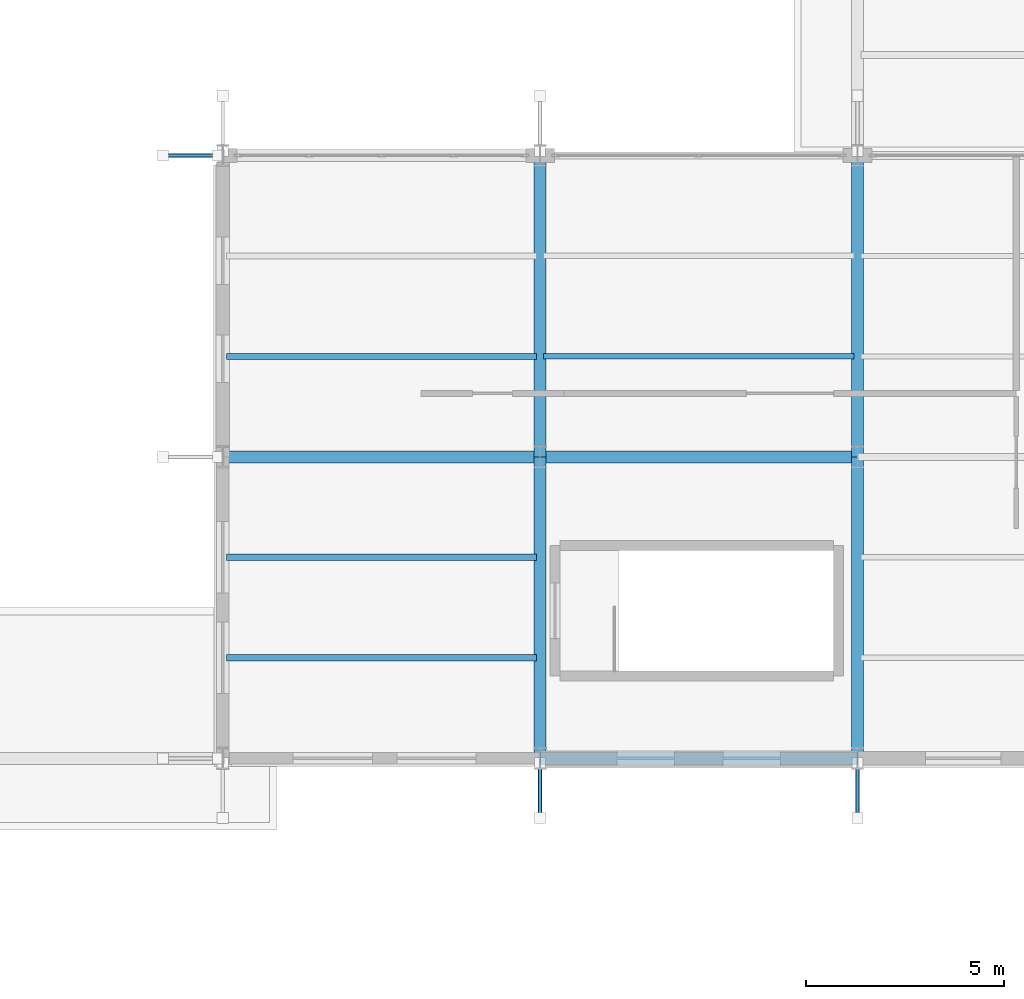
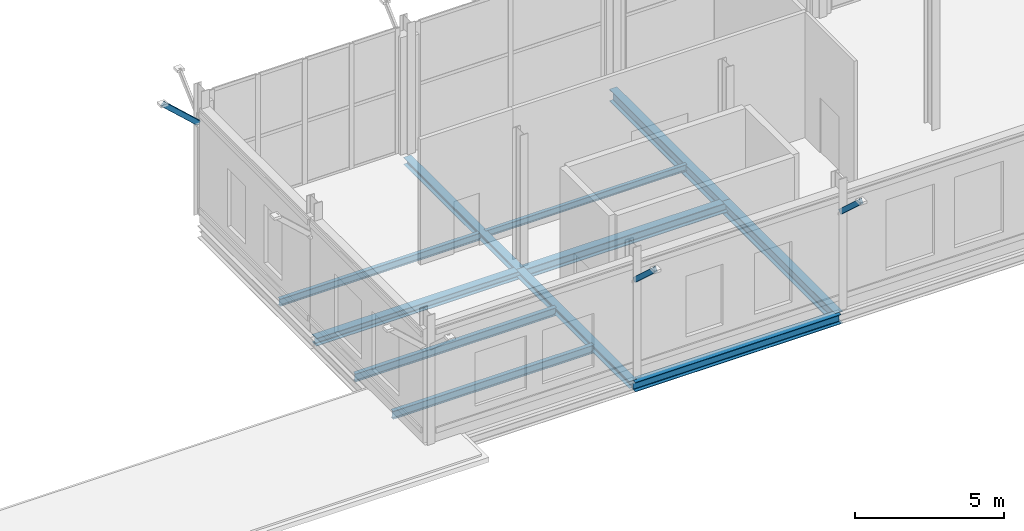
# One storey, part 27 of 147: 11 beams, 3 members.
"""IFC4 building model written with IfcOpenShell, lengths in metres."""

import ifcopenshell
import ifcopenshell.guid

model = None  # the IFC model being written
_history = None  # IfcOwnerHistory: only IFC2X3 demands one
_inside = {}  # id of a spatial element -> (the spatial element, [elements in it])
_under = {}  # id of a project, library or spatial element -> (it, [spatial elements below it])
_declared = {}  # id of a project -> (the project, [libraries it declares])
_typed = {}  # id of a type object -> (the type object, [elements of that type])
_made_of = {}  # id of a material, layer set ... -> (it, [elements and type objects made of it])


def new_model(schema):
    """Start an empty IFC model of exactly this schema.

    Asked for "IFC4X3", IfcOpenShell would pick the latest addendum, in which some entities
    have other attributes; the version numbers below select the first issue.
    IFC2X3 requires an IfcOwnerHistory on every rooted entity: one is made here for all.
    """
    global model, _history
    if schema == "IFC4X3":
        model = ifcopenshell.file(schema_version=(4, 3, 0, 0))
    else:
        model = ifcopenshell.file(schema=schema)
    _inside.clear()
    _under.clear()
    _declared.clear()
    _typed.clear()
    _made_of.clear()
    _history = None
    if model.schema == "IFC2X3":
        org = make("IfcOrganization", Name="unknown")
        user = make(
            "IfcPersonAndOrganization",
            ThePerson=make("IfcPerson", FamilyName="unknown"),
            TheOrganization=org,
        )
        app = make(
            "IfcApplication",
            ApplicationDeveloper=org,
            Version="unknown",
            ApplicationFullName="unknown",
            ApplicationIdentifier="unknown",
        )
        _history = make(
            "IfcOwnerHistory",
            OwningUser=user,
            OwningApplication=app,
            ChangeAction="ADDED",
            CreationDate=0,
        )
    return model


def make(cls, **values):
    """One entity of the class cls with the attributes given. An attribute that is None is left unset."""
    return model.create_entity(
        cls, **{name: value for name, value in values.items() if value is not None}
    )


def rooted(cls, **values):
    """An entity with a GlobalId (a new one), such as an element, a storey or a relation."""
    return make(cls, GlobalId=ifcopenshell.guid.new(), OwnerHistory=_history, **values)


def si_unit(unit_type, name, prefix=None):
    """IfcSIUnit, for example si_unit("LENGTHUNIT", "METRE", prefix="MILLI")."""
    return make("IfcSIUnit", UnitType=unit_type, Prefix=prefix, Name=name)


def assignment(units):
    """IfcUnitAssignment: the units of a project."""
    return None if units is None else make("IfcUnitAssignment", Units=units)


def point(xyz):
    """IfcCartesianPoint."""
    return None if xyz is None else make("IfcCartesianPoint", Coordinates=xyz)


def direction(xyz):
    """IfcDirection."""
    return None if xyz is None else make("IfcDirection", DirectionRatios=xyz)


def frame(location, z_axis=None, x_axis=None):
    """IfcAxis2Placement3D, a coordinate frame: its origin and axes. An axis left out is left unset."""
    return make(
        "IfcAxis2Placement3D",
        Location=point(location),
        Axis=direction(z_axis),
        RefDirection=direction(x_axis),
    )


def frame_2d(location, x_axis=None):
    """IfcAxis2Placement2D, a coordinate frame in the plane: its origin and x axis."""
    return make(
        "IfcAxis2Placement2D", Location=point(location), RefDirection=direction(x_axis)
    )


def origin():
    """The frame at (0, 0, 0) with its axes left unset."""
    return frame((0.0, 0.0, 0.0))


def origin_2d():
    """The frame at (0, 0) in the plane with its x axis left unset."""
    return frame_2d((0.0, 0.0))


def place(relative_to, where):
    """IfcLocalPlacement: puts the frame where relative to a parent placement (None: the world)."""
    return make(
        "IfcLocalPlacement", PlacementRelTo=relative_to, RelativePlacement=where
    )


def context(
    kind, dimensions, precision=None, world=None, true_north=None, identifier=None
):
    """IfcGeometricRepresentationContext, for example the 3D "Model" context."""
    return make(
        "IfcGeometricRepresentationContext",
        ContextIdentifier=identifier,
        ContextType=kind,
        CoordinateSpaceDimension=dimensions,
        Precision=precision,
        WorldCoordinateSystem=world,
        TrueNorth=true_north,
    )


def subcontext(parent, identifier, kind, view, scale=None):
    """IfcGeometricRepresentationSubContext, for example "Body" below "Model"."""
    return make(
        "IfcGeometricRepresentationSubContext",
        ContextIdentifier=identifier,
        ContextType=kind,
        ParentContext=parent,
        TargetScale=scale,
        TargetView=view,
    )


def project(units=None, contexts=None):
    """IfcProject with its units and contexts."""
    return rooted(
        "IfcProject",
        Name="project",
        RepresentationContexts=contexts,
        UnitsInContext=assignment(units),
    )


def spatial(cls, under=None, at=None, **own):
    """A site, building, storey or space (cls), placed at a placement, below another one or the project."""
    s = rooted(cls, ObjectPlacement=at, **own)
    if under is not None:
        _under.setdefault(under.id(), (under, []))[1].append(s)
    return s


def profile(cls, at=None, kind="AREA", **sizes):
    """A parametric profile (cls). Its sizes go by their IFC names, for example OverallWidth=200.0."""
    return make(cls, ProfileType=kind, Position=at, **sizes)


def hollow_rectangle(**sizes):
    """IfcRectangleHollowProfileDef."""
    return profile("IfcRectangleHollowProfileDef", **sizes)


def i_section(**sizes):
    """IfcIShapeProfileDef."""
    return profile("IfcIShapeProfileDef", **sizes)


def extrude(swept, where, along, depth):
    """IfcExtrudedAreaSolid: the profile swept, set in the frame where, extruded along a direction by depth."""
    return make(
        "IfcExtrudedAreaSolid",
        SweptArea=swept,
        Position=where,
        ExtrudedDirection=direction(along),
        Depth=depth,
    )


def shape(context_of_items, identifier, shape_type, items):
    """IfcShapeRepresentation: the items that make up one representation, for example the "Body"."""
    return make(
        "IfcShapeRepresentation",
        ContextOfItems=context_of_items,
        RepresentationIdentifier=identifier,
        RepresentationType=shape_type,
        Items=items,
    )


def material(Name=None, Category=None):
    """IfcMaterial."""
    return make("IfcMaterial", Name=Name, Category=Category)


def material_profile(
    of_material, cross_section, Name=None, Category=None, Priority=None
):
    """IfcMaterialProfile: a cross section and its material."""
    return make(
        "IfcMaterialProfile",
        Name=Name,
        Material=of_material,
        Profile=cross_section,
        Priority=Priority,
        Category=Category,
    )


def profile_set(profiles, Name=None, composite=None):
    """IfcMaterialProfileSet."""
    return make(
        "IfcMaterialProfileSet",
        Name=Name,
        MaterialProfiles=profiles,
        CompositeProfile=composite,
    )


def made_of(thing, what):
    """Note that an element or type object is made of a material, layer set ...; save() writes the relation."""
    if what is not None:
        _made_of.setdefault(what.id(), (what, []))[1].append(thing)
    return thing


def type_object(cls, material=None, **own):
    """A type object (cls), such as IfcWallType, which elements share."""
    return made_of(rooted(cls, **own), material)


def element(
    cls,
    number,
    at=None,
    inside=None,
    cuts=None,
    type_object=None,
    material=None,
    context=None,
    identifier="Body",
    shape_type=None,
    held_by="IfcProductDefinitionShape",
    body=None,
    shapes=None,
    **own,
):
    """One element of the class cls, such as IfcWall. Its Tag is "e" and its number.

    at: its placement. inside: the storey or other place that contains it. cuts: it is an
    opening in that element (IfcRelVoidsElement). A single representation is given by context,
    identifier, shape_type and body (its items); several are given by shapes. held_by: the class
    of the entity that holds the representations. save() writes the other relations.
    """
    e = rooted(cls, Tag="e%d" % number, ObjectPlacement=at, **own)
    if body is not None:
        shapes = [shape(context, identifier, shape_type, body)]
    if shapes is not None:
        e.Representation = make(held_by, Representations=shapes)
    if inside is not None:
        _inside.setdefault(inside.id(), (inside, []))[1].append(e)
    if cuts is not None:
        rooted(
            "IfcRelVoidsElement", RelatingBuildingElement=cuts, RelatedOpeningElement=e
        )
    if type_object is not None:
        _typed.setdefault(type_object.id(), (type_object, []))[1].append(e)
    return made_of(e, material)


def aggregate(whole, parts):
    """IfcRelAggregates: a whole, such as a stair, and the parts it consists of."""
    return rooted("IfcRelAggregates", RelatingObject=whole, RelatedObjects=parts)


def save(model, path):
    """Write the relations noted so far, then the file.

    IfcRelAggregates (storeys below a building ...), IfcRelContainedInSpatialStructure (elements
    in a storey), IfcRelDefinesByType, IfcRelAssociatesMaterial and IfcRelDeclares: one each for
    every whole, place, type object, material and project.
    """
    for whole, parts in _under.values():
        aggregate(whole, parts)
    for where, things in _inside.values():
        rooted(
            "IfcRelContainedInSpatialStructure",
            RelatedElements=things,
            RelatingStructure=where,
        )
    for kind, things in _typed.values():
        rooted("IfcRelDefinesByType", RelatedObjects=things, RelatingType=kind)
    for what, things in _made_of.values():
        rooted("IfcRelAssociatesMaterial", RelatedObjects=things, RelatingMaterial=what)
    for by, libraries in _declared.values():
        rooted("IfcRelDeclares", RelatingContext=by, RelatedDefinitions=libraries)
    model.write(path)


model = new_model("IFC4")

# Units and contexts
model_context = context("Model", 3, precision=1e-05, world=origin(), true_north=direction((0.0, 1.0)))
body_context = subcontext(model_context, "Body", "Model", "MODEL_VIEW")
ifc_project = project(units=[si_unit("LENGTHUNIT", "METRE"), si_unit("AREAUNIT", "SQUARE_METRE"), si_unit("VOLUMEUNIT", "CUBIC_METRE"), si_unit("PLANEANGLEUNIT", "RADIAN"), si_unit("MASSUNIT", "GRAM", prefix="KILO")], contexts=[model_context])

# Site, building, storey
site_placement = place(None, origin())
site = spatial("IfcSite", under=ifc_project, at=site_placement, CompositionType="ELEMENT")
building_placement = place(site_placement, origin())
building = spatial("IfcBuilding", under=site, at=building_placement, Name="Vekula Escarpment Museum", CompositionType="ELEMENT")
storey_placement = place(building_placement, frame((0.0, 0.0, 7.800048828125)))
storey = spatial("IfcBuildingStorey", under=building, at=storey_placement, Name="L02", CompositionType="ELEMENT", Elevation=7.800048828125)

# Beams
ifc_material_1 = material(Name="Steel S355", Category="steel")
ifc_material_profile_1 = material_profile(ifc_material_1, i_section(OverallWidth=0.300048828125, OverallDepth=0.320068359375, WebThickness=0.011474609375, FlangeThickness=0.0205078125, FilletRadius=0.027099609375, at=origin_2d()), Name="HEB 320")
ifc_profile_set_1 = profile_set([ifc_material_profile_1], Name="Steel S355")
beam_type_1 = type_object("IfcBeamType", Name="BM-GIRD-HEB320", PredefinedType="BEAM", material=ifc_profile_set_1)
beam_1_placement = place(storey_placement, frame((78.0, 7.60009765625, -0.420166015625), z_axis=(1.0, 0.0, 0.0), x_axis=(0.0, 1.0, 0.0)))
element("IfcBeam", 1, at=beam_1_placement, inside=storey, type_object=beam_type_1, Name="Beam X L02 0803", PredefinedType="BEAM", context=body_context, shape_type="SweptSolid", body=[
    extrude(i_section(OverallWidth=0.300048828125, OverallDepth=0.320068359375, WebThickness=0.011474609375, FlangeThickness=0.0205078125, FilletRadius=0.027099609375, at=origin_2d()), origin(), (0.0, 0.0, 1.0), 8.0),
])
ifc_material_2 = material(Name="Steel S355", Category="steel")
ifc_material_profile_2 = material_profile(ifc_material_2, i_section(OverallWidth=0.300048828125, OverallDepth=0.39990234375, WebThickness=0.013427734375, FlangeThickness=0.02392578125, FilletRadius=0.027099609375, at=origin_2d()), Name="HEB 400")
ifc_profile_set_2 = profile_set([ifc_material_profile_2], Name="Steel S355")
beam_type_2 = type_object("IfcBeamType", Name="BM-GIRD-HEB400", PredefinedType="BEAM", material=ifc_profile_set_2)
beam_2_placement = place(storey_placement, frame((86.0, 7.60009765625, -0.4599609375), z_axis=(1.0, 0.0, 0.0), x_axis=(0.0, 1.0, 0.0)))
element("IfcBeam", 2, at=beam_2_placement, inside=storey, type_object=beam_type_2, Name="Beam X L02 0804", PredefinedType="BEAM", context=body_context, shape_type="SweptSolid", body=[
    extrude(i_section(OverallWidth=0.300048828125, OverallDepth=0.39990234375, WebThickness=0.013427734375, FlangeThickness=0.02392578125, FilletRadius=0.027099609375, at=origin_2d()), origin(), (0.0, 0.0, 1.0), 8.0),
])
ifc_material_3 = material(Name="Steel S355", Category="steel")
ifc_material_profile_3 = material_profile(ifc_material_3, i_section(OverallWidth=0.300048828125, OverallDepth=0.5, WebThickness=0.014404296875, FlangeThickness=0.028076171875, FilletRadius=0.027099609375, at=origin_2d()), Name="HEB 500")
ifc_profile_set_3 = profile_set([ifc_material_profile_3], Name="Steel S355")
beam_type_3 = type_object("IfcBeamType", Name="BM-GIRD-HEB500", PredefinedType="BEAM", material=ifc_profile_set_3)
beam_3_placement = place(storey_placement, frame((94.0, 0.0, -0.510009765625), z_axis=(0.0, 1.0, 0.0), x_axis=(-1.0, 0.0, 0.0)))
element("IfcBeam", 3, at=beam_3_placement, inside=storey, type_object=beam_type_3, Name="Beam Y L02 1152", PredefinedType="BEAM", context=body_context, shape_type="SweptSolid", body=[
    extrude(i_section(OverallWidth=0.300048828125, OverallDepth=0.5, WebThickness=0.014404296875, FlangeThickness=0.028076171875, FilletRadius=0.027099609375, at=origin_2d()), origin(), (0.0, 0.0, 1.0), 7.60009765625),
])
beam_4_placement = place(storey_placement, frame((94.0, 7.60009765625, -0.510009765625), z_axis=(0.0, 1.0, 0.0), x_axis=(-1.0, 0.0, 0.0)))
element("IfcBeam", 4, at=beam_4_placement, inside=storey, type_object=beam_type_3, Name="Beam Y L02 1153", PredefinedType="BEAM", context=body_context, shape_type="SweptSolid", body=[
    extrude(i_section(OverallWidth=0.300048828125, OverallDepth=0.5, WebThickness=0.014404296875, FlangeThickness=0.028076171875, FilletRadius=0.027099609375, at=origin_2d()), origin(), (0.0, 0.0, 1.0), 7.599853515625),
])
ifc_material_4 = material(Name="Steel S355", Category="steel")
ifc_material_profile_4 = material_profile(ifc_material_4, i_section(OverallWidth=0.135009765625, OverallDepth=0.27001953125, WebThickness=0.006591796875, FlangeThickness=0.01025390625, FilletRadius=0.014892578125, at=origin_2d()), Name="IPE 270")
ifc_profile_set_4 = profile_set([ifc_material_profile_4], Name="Steel S355")
beam_type_4 = type_object("IfcBeamType", Name="BM-JST-IPE270", PredefinedType="JOIST", material=ifc_profile_set_4)
beam_5_placement = place(storey_placement, frame((86.090087890625, 10.13330078125, -0.39501953125), z_axis=(1.0, 0.0, 0.0), x_axis=(0.0, 1.0, 0.0)))
element("IfcBeam", 5, at=beam_5_placement, inside=storey, type_object=beam_type_4, Name="Secondary Joist L02 0755", PredefinedType="JOIST", context=body_context, shape_type="SweptSolid", body=[
    extrude(i_section(OverallWidth=0.135009765625, OverallDepth=0.27001953125, WebThickness=0.006591796875, FlangeThickness=0.01025390625, FilletRadius=0.014892578125, at=origin_2d()), origin(), (0.0, 0.0, 1.0), 7.81982421875),
])
ifc_material_5 = material(Name="Steel S355", Category="steel")
ifc_material_profile_5 = material_profile(ifc_material_5, i_section(OverallWidth=0.14990234375, OverallDepth=0.300048828125, WebThickness=0.007080078125, FlangeThickness=0.0107421875, FilletRadius=0.014892578125, at=origin_2d()), Name="IPE 300")
ifc_profile_set_5 = profile_set([ifc_material_profile_5], Name="Steel S355")
beam_type_5 = type_object("IfcBeamType", Name="BM-JST-IPE300", PredefinedType="JOIST", material=ifc_profile_set_5)
beam_6_placement = place(storey_placement, frame((78.090087890625, 10.13330078125, -0.41015625), z_axis=(1.0, 0.0, 0.0), x_axis=(0.0, 1.0, 0.0)))
element("IfcBeam", 6, at=beam_6_placement, inside=storey, type_object=beam_type_5, Name="Secondary Joist L02 0741", PredefinedType="JOIST", context=body_context, shape_type="SweptSolid", body=[
    extrude(i_section(OverallWidth=0.14990234375, OverallDepth=0.300048828125, WebThickness=0.007080078125, FlangeThickness=0.0107421875, FilletRadius=0.014892578125, at=origin_2d()), origin(), (0.0, 0.0, 1.0), 7.81982421875),
])
ifc_material_6 = material(Name="Steel S355", Category="steel")
ifc_material_profile_6 = material_profile(ifc_material_6, i_section(OverallWidth=0.159912109375, OverallDepth=0.330078125, WebThickness=0.007568359375, FlangeThickness=0.011474609375, FilletRadius=0.01806640625, at=origin_2d()), Name="IPE 330")
ifc_profile_set_6 = profile_set([ifc_material_profile_6], Name="Steel S355")
beam_type_6 = type_object("IfcBeamType", Name="BM-JST-IPE330", PredefinedType="JOIST", material=ifc_profile_set_6)
for number, where, z_axis, x_axis, name in (
    (7, (78.090087890625, 2.533203125, -0.425048828125), (1.0, 0.0, 0.0), (0.0, 1.0, 0.0), "Secondary Joist L02 0739"),
    (8, (78.090087890625, 5.066650390625, -0.425048828125), (1.0, 0.0, 0.0), (0.0, 1.0, 0.0), "Secondary Joist L02 0740"),
):
    element("IfcBeam", number, at=place(storey_placement, frame(where, z_axis=z_axis, x_axis=x_axis)), inside=storey, type_object=beam_type_6, Name=name, PredefinedType="JOIST", context=body_context, shape_type="SweptSolid", body=[
        extrude(i_section(OverallWidth=0.159912109375, OverallDepth=0.330078125, WebThickness=0.007568359375, FlangeThickness=0.011474609375, FilletRadius=0.01806640625, at=origin_2d()), origin(), (0.0, 0.0, 1.0), 7.81982421875),
    ])
ifc_material_7 = material(Name="Steel S355", Category="steel")
ifc_material_profile_7 = material_profile(ifc_material_7, i_section(OverallWidth=0.300048828125, OverallDepth=0.2900390625, WebThickness=0.008544921875, FlangeThickness=0.013916015625, FilletRadius=0.027099609375, at=origin_2d()), Name="HEA 300")
ifc_profile_set_7 = profile_set([ifc_material_profile_7], Name="Steel S355")
beam_type_7 = type_object("IfcBeamType", Name="BM-SPAN-HEA300", PredefinedType="SPANDREL", material=ifc_profile_set_7)
beam_7_placement = place(storey_placement, frame((86.0, 0.0, -0.405029296875), z_axis=(0.0, 1.0, 0.0), x_axis=(-1.0, 0.0, 0.0)))
element("IfcBeam", 9, at=beam_7_placement, inside=storey, type_object=beam_type_7, Name="Beam Y L02 1142", PredefinedType="SPANDREL", context=body_context, shape_type="SweptSolid", body=[
    extrude(i_section(OverallWidth=0.300048828125, OverallDepth=0.2900390625, WebThickness=0.008544921875, FlangeThickness=0.013916015625, FilletRadius=0.027099609375, at=origin_2d()), origin(), (0.0, 0.0, 1.0), 7.60009765625),
])
beam_8_placement = place(storey_placement, frame((86.0, 7.60009765625, -0.405029296875), z_axis=(0.0, 1.0, 0.0), x_axis=(-1.0, 0.0, 0.0)))
element("IfcBeam", 10, at=beam_8_placement, inside=storey, type_object=beam_type_7, Name="Beam Y L02 1143", PredefinedType="SPANDREL", context=body_context, shape_type="SweptSolid", body=[
    extrude(i_section(OverallWidth=0.300048828125, OverallDepth=0.2900390625, WebThickness=0.008544921875, FlangeThickness=0.013916015625, FilletRadius=0.027099609375, at=origin_2d()), origin(), (0.0, 0.0, 1.0), 7.599853515625),
])
ifc_material_8 = material(Name="Steel S355", Category="steel")
ifc_material_profile_8 = material_profile(ifc_material_8, i_section(OverallWidth=0.300048828125, OverallDepth=0.389892578125, WebThickness=0.010986328125, FlangeThickness=0.01904296875, FilletRadius=0.027099609375, at=origin_2d()), Name="HEA 400")
ifc_profile_set_8 = profile_set([ifc_material_profile_8], Name="Steel S355")
beam_type_8 = type_object("IfcBeamType", Name="BM-SPAN-HEA400", PredefinedType="SPANDREL", material=ifc_profile_set_8)
beam_9_placement = place(storey_placement, frame((86.0, 0.0, -0.455078125), z_axis=(1.0, 0.0, 0.0), x_axis=(0.0, 1.0, 0.0)))
element("IfcBeam", 11, at=beam_9_placement, inside=storey, type_object=beam_type_8, Name="Beam X L02 0792", PredefinedType="SPANDREL", context=body_context, shape_type="SweptSolid", body=[
    extrude(i_section(OverallWidth=0.300048828125, OverallDepth=0.389892578125, WebThickness=0.010986328125, FlangeThickness=0.01904296875, FilletRadius=0.027099609375, at=origin_2d()), origin(), (0.0, 0.0, 1.0), 8.0),
])

# Members
ifc_material_9 = material(Name="Steel S355", Category="steel")
ifc_material_profile_9 = material_profile(ifc_material_9, hollow_rectangle(XDim=0.10009765625, YDim=0.199951171875, WallThickness=0.008056640625, InnerFilletRadius=0.008056640625, OuterFilletRadius=0.01611328125, at=origin_2d()), Name="RHS 200x100x8")
ifc_profile_set_9 = profile_set([ifc_material_profile_9], Name="Steel S355")
member_type = type_object("IfcMemberType", Name="MB-SACAK-BRK", PredefinedType="STRUT", material=ifc_profile_set_9)
for number, where, z_axis, x_axis, name in (
    (12, (77.8798828125, 15.199951171875, 3.949951171875), (-0.738454378718, 0.0, 0.674303441006), (0.0, -1.0, 0.0), "Ottoman Sacak Eave Bracket L03-0047"),
    (13, (86.0, -0.1201171875, 3.949951171875), (0.0, -0.738454378718, 0.674303441006), (1.0, 0.0, 0.0), "Ottoman Sacak Eave Bracket L03-0054"),
    (14, (94.0, -0.1201171875, 3.949951171875), (0.0, -0.738454378718, 0.674303441006), (1.0, 0.0, 0.0), "Ottoman Sacak Eave Bracket L03-0058"),
):
    element("IfcMember", number, at=place(storey_placement, frame(where, z_axis=z_axis, x_axis=x_axis)), inside=storey, type_object=member_type, Name=name, PredefinedType="STRUT", context=body_context, shape_type="SweptSolid", body=[
        extrude(hollow_rectangle(XDim=0.10009765625, YDim=0.199951171875, WallThickness=0.008056640625, InnerFilletRadius=0.008056640625, OuterFilletRadius=0.01611328125, at=origin_2d()), origin(), (0.0, 0.0, 1.0), 1.86865234375),
    ])

save(model, "model.ifc")
